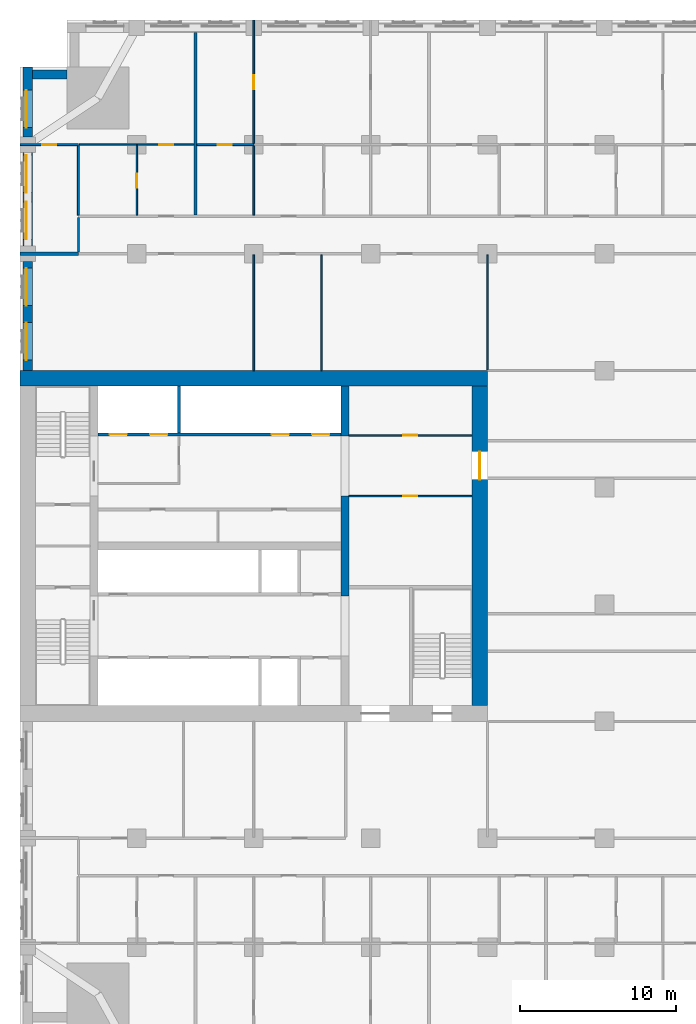
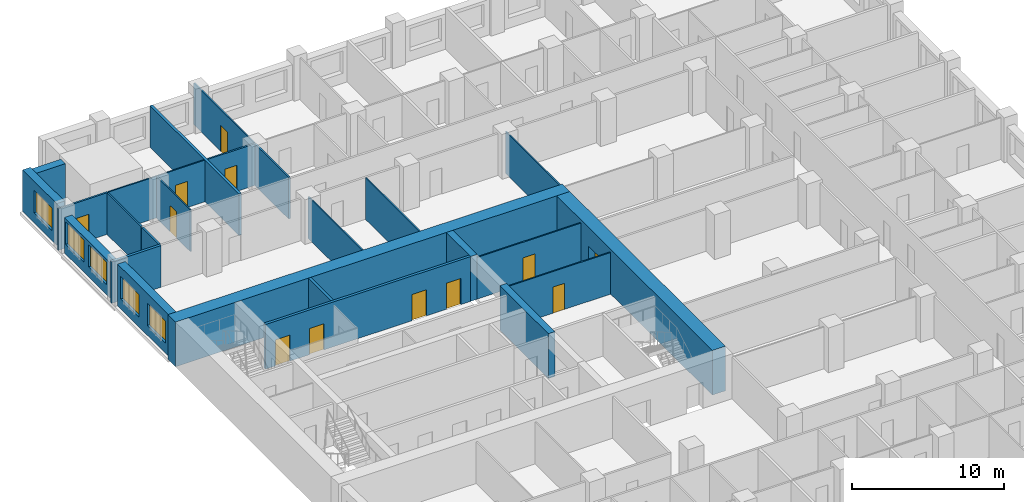
# One storey, part 8 of 14: 25 walls, 12 doors, 5 windows, 17 openings.
"""IFC4 building model written with IfcOpenShell, lengths in metres."""

from ifc_helpers import new_model, si_unit, direction, frame, frame_2d, origin, place, context, subcontext, project, spatial, rectangle, extrude, material, layer, layer_set, type_object, element, fill, save


model = new_model("IFC4")

# Units and contexts
model_context = context("Model", 3, precision=1e-05, world=origin(), true_north=direction((0.0, 1.0)))
body_context = subcontext(model_context, "Body", "Model", "MODEL_VIEW")
ifc_project = project(units=[si_unit("LENGTHUNIT", "METRE"), si_unit("AREAUNIT", "SQUARE_METRE"), si_unit("VOLUMEUNIT", "CUBIC_METRE"), si_unit("PLANEANGLEUNIT", "RADIAN"), si_unit("MASSUNIT", "GRAM", prefix="KILO")], contexts=[model_context])

# Site, building, storey
site_placement = place(None, origin())
site = spatial("IfcSite", under=ifc_project, at=site_placement, CompositionType="ELEMENT")
building_placement = place(site_placement, origin())
building = spatial("IfcBuilding", under=site, at=building_placement, Name="Tamorin Gate", CompositionType="ELEMENT")
storey_placement = place(building_placement, frame((0.0, 0.0, 41.199951171875)))
storey = spatial("IfcBuildingStorey", under=building, at=storey_placement, Name="L08", CompositionType="ELEMENT", Elevation=41.199951171875)

# Wall
ifc_material_1 = material(Name="Precast concrete C40/50", Category="concrete")
ifc_layer_1 = layer(ifc_material_1, 0.60009765625)
ifc_layer_set_1 = layer_set([ifc_layer_1], Name="Precast concrete C40/50")
wall_type_1 = type_object("IfcWallType", Name="Board-marked concrete facade panel 600", PredefinedType="SOLIDWALL", material=ifc_layer_set_1)
wall_1_placement = place(storey_placement, frame((33.0, 101.5, 0.0), z_axis=(0.0, 0.0, 1.0), x_axis=(-1.0, 0.0, 0.0)))
element("IfcWall", 1, at=wall_1_placement, inside=storey, type_object=wall_type_1, Name="Facade panel", PredefinedType="SOLIDWALL", context=body_context, shape_type="SweptSolid", body=[
    extrude(rectangle(XDim=2.199951171875, YDim=0.60009765625, at=frame_2d((1.10009765625, 0.0))), origin(), (0.0, 0.0, 1.0), 3.35009765625),
])

# Wall, opening, window
wall_2_placement = place(storey_placement, frame((30.5, 102.0, 0.0), z_axis=(0.0, 0.0, 1.0), x_axis=(0.0, -1.0, 0.0)))
wall_2 = element("IfcWall", 2, at=wall_2_placement, inside=storey, type_object=wall_type_1, Name="Facade panel", PredefinedType="SOLIDWALL", context=body_context, shape_type="SweptSolid", body=[
    extrude(rectangle(XDim=4.5, YDim=0.60009765625, at=frame_2d((2.25, 0.0))), origin(), (0.0, 0.0, 1.0), 3.35009765625),
])
opening_1_placement = place(wall_2_placement, frame((1.5, 0.0, 0.800048828125)))
opening_1 = element("IfcOpeningElement", 3, at=opening_1_placement, cuts=wall_2, Name="Opening WN1", PredefinedType="OPENING", context=body_context, shape_type="SweptSolid", body=[
    extrude(rectangle(XDim=2.39990234375, YDim=1.800048828125, at=frame_2d((1.199951171875, 0.89990234375))), frame((0.0, 0.31005859375, 0.0), z_axis=(0.0, -1.0, 0.0), x_axis=(1.0, 0.0, 0.0)), (0.0, 0.0, 1.0), 0.6201171875),
])
ifc_material_2 = material(Name="Clear glass in aluminium frame", Category="aluminium")
window_type = type_object("IfcWindowType", Name="Deep-set window 2400x1800", PartitioningType="SINGLE_PANEL", PredefinedType="WINDOW", material=ifc_material_2)
window_1_placement = place(opening_1_placement, origin())
window_1 = element("IfcWindow", 4, at=window_1_placement, inside=storey, type_object=window_type, Name="Deep-set window", OverallHeight=1.800048828125, OverallWidth=2.39990234375, PartitioningType="SINGLE_PANEL", PredefinedType="WINDOW", context=body_context, shape_type="SweptSolid", body=[
    extrude(rectangle(XDim=2.39990234375, YDim=1.800048828125, at=frame_2d((1.199951171875, 0.89990234375))), frame((0.0, -0.070068359375, 0.0), z_axis=(0.0, -1.0, 0.0), x_axis=(1.0, 0.0, 0.0)), (0.0, 0.0, 1.0), 0.06005859375),
])
fill(opening_1, window_1)

# Wall, openings, windows
wall_3_placement = place(storey_placement, frame((30.5, 96.5, 0.0), z_axis=(0.0, 0.0, 1.0), x_axis=(0.0, -1.0, 0.0)))
wall_3 = element("IfcWall", 5, at=wall_3_placement, inside=storey, type_object=wall_type_1, Name="Facade panel", PredefinedType="SOLIDWALL", context=body_context, shape_type="SweptSolid", body=[
    extrude(rectangle(XDim=6.0, YDim=0.60009765625, at=frame_2d((3.0, 0.0))), origin(), (0.0, 0.0, 1.0), 2.85009765625),
])
opening_2_placement = place(wall_3_placement, frame((3.175048828125, 0.0, 0.800048828125)))
opening_2 = element("IfcOpeningElement", 6, at=opening_2_placement, cuts=wall_3, Name="Opening WN1", PredefinedType="OPENING", context=body_context, shape_type="SweptSolid", body=[
    extrude(rectangle(XDim=2.39990234375, YDim=1.800048828125, at=frame_2d((1.199951171875, 0.89990234375))), frame((0.0, 0.31005859375, 0.0), z_axis=(0.0, -1.0, 0.0), x_axis=(1.0, 0.0, 0.0)), (0.0, 0.0, 1.0), 0.6201171875),
])
opening_3_placement = place(wall_3_placement, frame((0.175048828125, 0.0, 0.800048828125)))
opening_3 = element("IfcOpeningElement", 7, at=opening_3_placement, cuts=wall_3, Name="Opening WN1", PredefinedType="OPENING", context=body_context, shape_type="SweptSolid", body=[
    extrude(rectangle(XDim=2.39990234375, YDim=1.800048828125, at=frame_2d((1.199951171875, 0.89990234375))), frame((0.0, 0.31005859375, 0.0), z_axis=(0.0, -1.0, 0.0), x_axis=(1.0, 0.0, 0.0)), (0.0, 0.0, 1.0), 0.6201171875),
])
window_2_placement = place(opening_2_placement, origin())
window_2 = element("IfcWindow", 8, at=window_2_placement, inside=storey, type_object=window_type, Name="Deep-set window", OverallHeight=1.800048828125, OverallWidth=2.39990234375, PartitioningType="SINGLE_PANEL", PredefinedType="WINDOW", context=body_context, shape_type="SweptSolid", body=[
    extrude(rectangle(XDim=2.39990234375, YDim=1.800048828125, at=frame_2d((1.199951171875, 0.89990234375))), frame((0.0, -0.070068359375, 0.0), z_axis=(0.0, -1.0, 0.0), x_axis=(1.0, 0.0, 0.0)), (0.0, 0.0, 1.0), 0.06005859375),
])
fill(opening_2, window_2)
window_3_placement = place(opening_3_placement, origin())
window_3 = element("IfcWindow", 9, at=window_3_placement, inside=storey, type_object=window_type, Name="Deep-set window", OverallHeight=1.800048828125, OverallWidth=2.39990234375, PartitioningType="SINGLE_PANEL", PredefinedType="WINDOW", context=body_context, shape_type="SweptSolid", body=[
    extrude(rectangle(XDim=2.39990234375, YDim=1.800048828125, at=frame_2d((1.199951171875, 0.89990234375))), frame((0.0, -0.070068359375, 0.0), z_axis=(0.0, -1.0, 0.0), x_axis=(1.0, 0.0, 0.0)), (0.0, 0.0, 1.0), 0.06005859375),
])
fill(opening_3, window_3)

wall_4_placement = place(storey_placement, frame((30.5, 89.5, 0.0), z_axis=(0.0, 0.0, 1.0), x_axis=(0.0, -1.0, 0.0)))
wall_4 = element("IfcWall", 10, at=wall_4_placement, inside=storey, type_object=wall_type_1, Name="Facade panel", PredefinedType="SOLIDWALL", context=body_context, shape_type="SweptSolid", body=[
    extrude(rectangle(XDim=7.0, YDim=0.60009765625, at=frame_2d((3.5, 0.0))), origin(), (0.0, 0.0, 1.0), 3.35009765625),
])
opening_4_placement = place(wall_4_placement, frame((3.925048828125, 0.0, 0.800048828125)))
opening_4 = element("IfcOpeningElement", 11, at=opening_4_placement, cuts=wall_4, Name="Opening WN1", PredefinedType="OPENING", context=body_context, shape_type="SweptSolid", body=[
    extrude(rectangle(XDim=2.39990234375, YDim=1.800048828125, at=frame_2d((1.199951171875, 0.89990234375))), frame((0.0, 0.31005859375, 0.0), z_axis=(0.0, -1.0, 0.0), x_axis=(1.0, 0.0, 0.0)), (0.0, 0.0, 1.0), 0.6201171875),
])
opening_5_placement = place(wall_4_placement, frame((0.425048828125, 0.0, 0.800048828125)))
opening_5 = element("IfcOpeningElement", 12, at=opening_5_placement, cuts=wall_4, Name="Opening WN1", PredefinedType="OPENING", context=body_context, shape_type="SweptSolid", body=[
    extrude(rectangle(XDim=2.39990234375, YDim=1.800048828125, at=frame_2d((1.199951171875, 0.89990234375))), frame((0.0, 0.31005859375, 0.0), z_axis=(0.0, -1.0, 0.0), x_axis=(1.0, 0.0, 0.0)), (0.0, 0.0, 1.0), 0.6201171875),
])
window_4_placement = place(opening_4_placement, origin())
window_4 = element("IfcWindow", 13, at=window_4_placement, inside=storey, type_object=window_type, Name="Deep-set window", OverallHeight=1.800048828125, OverallWidth=2.39990234375, PartitioningType="SINGLE_PANEL", PredefinedType="WINDOW", context=body_context, shape_type="SweptSolid", body=[
    extrude(rectangle(XDim=2.39990234375, YDim=1.800048828125, at=frame_2d((1.199951171875, 0.89990234375))), frame((0.0, -0.070068359375, 0.0), z_axis=(0.0, -1.0, 0.0), x_axis=(1.0, 0.0, 0.0)), (0.0, 0.0, 1.0), 0.06005859375),
])
fill(opening_4, window_4)
window_5_placement = place(opening_5_placement, origin())
window_5 = element("IfcWindow", 14, at=window_5_placement, inside=storey, type_object=window_type, Name="Deep-set window", OverallHeight=1.800048828125, OverallWidth=2.39990234375, PartitioningType="SINGLE_PANEL", PredefinedType="WINDOW", context=body_context, shape_type="SweptSolid", body=[
    extrude(rectangle(XDim=2.39990234375, YDim=1.800048828125, at=frame_2d((1.199951171875, 0.89990234375))), frame((0.0, -0.070068359375, 0.0), z_axis=(0.0, -1.0, 0.0), x_axis=(1.0, 0.0, 0.0)), (0.0, 0.0, 1.0), 0.06005859375),
])
fill(opening_5, window_5)

# Walls
ifc_material_3 = material(Name="Gypsum board partition")
ifc_layer_2 = layer(ifc_material_3, 0.14990234375)
ifc_layer_set_2 = layer_set([ifc_layer_2], Name="Corridor wall 150")
wall_type_2 = type_object("IfcWallType", Name="Corridor wall 150", PredefinedType="PARTITIONING", material=ifc_layer_set_2)
wall_5_placement = place(storey_placement, frame((33.75, 90.10009765625, 0.0), z_axis=(0.0, 0.0, 1.0), x_axis=(0.0, 1.0, 0.0)))
element("IfcWall", 15, at=wall_5_placement, inside=storey, type_object=wall_type_2, Name="Corridor wall 150", PredefinedType="PARTITIONING", context=body_context, shape_type="SweptSolid", body=[
    extrude(rectangle(XDim=2.224853515625, YDim=0.14990234375, at=frame_2d((1.1123046875, 0.0))), origin(), (0.0, 0.0, 1.0), 3.35009765625),
])
ifc_layer_3 = layer(ifc_material_3, 0.199951171875)
ifc_layer_set_3 = layer_set([ifc_layer_3], Name="Demising wall 200")
wall_type_3 = type_object("IfcWallType", Name="Demising wall 200", PredefinedType="PARTITIONING", material=ifc_layer_set_3)
wall_6_placement = place(storey_placement, frame((30.0, 90.0, 0.0), z_axis=(0.0, 0.0, 1.0), x_axis=(1.0, 0.0, 0.0)))
element("IfcWall", 16, at=wall_6_placement, inside=storey, type_object=wall_type_3, Name="Demising wall 200", PredefinedType="PARTITIONING", context=body_context, shape_type="SweptSolid", body=[
    extrude(rectangle(XDim=3.75, YDim=0.199951171875, at=frame_2d((1.875, 0.0))), origin(), (0.0, 0.0, 1.0), 3.35009765625),
])
wall_7_placement = place(storey_placement, frame((41.25, 92.47509765625, 0.0), z_axis=(0.0, 0.0, 1.0), x_axis=(0.0, 1.0, 0.0)))
element("IfcWall", 17, at=wall_7_placement, inside=storey, type_object=wall_type_3, Name="Demising wall 200", PredefinedType="PARTITIONING", context=body_context, shape_type="SweptSolid", body=[
    extrude(rectangle(XDim=11.71484375, YDim=0.199951171875, at=frame_2d((5.857421875, 0.0))), origin(), (0.0, 0.0, 1.0), 3.35009765625),
])

# Wall, openings, doors
ifc_material_4 = material(Name="Concrete C32/40", Category="concrete")
ifc_layer_4 = layer(ifc_material_4, 0.199951171875)
ifc_layer_set_4 = layer_set([ifc_layer_4], Name="Lift lobby face wall 200 EI 120")
wall_type_4 = type_object("IfcWallType", Name="Lift lobby face wall 200 EI 120", PredefinedType="SOLIDWALL", material=ifc_layer_set_4)
wall_8_placement = place(storey_placement, frame((35.0, 78.39990234375, 0.0), z_axis=(0.0, 0.0, 1.0), x_axis=(1.0, 0.0, 0.0)))
wall_8 = element("IfcWall", 18, at=wall_8_placement, inside=storey, type_object=wall_type_4, Name="Lift lobby face wall", PredefinedType="SOLIDWALL", context=body_context, shape_type="SweptSolid", body=[
    extrude(rectangle(XDim=15.60009765625, YDim=0.199951171875, at=frame_2d((7.800048828125, 0.0))), origin(), (0.0, 0.0, 1.0), 3.60009765625),
])
opening_6_placement = place(wall_8_placement, frame((0.75, 0.0, 0.0)))
opening_6 = element("IfcOpeningElement", 19, at=opening_6_placement, cuts=wall_8, Name="Opening LD17", PredefinedType="OPENING", context=body_context, shape_type="SweptSolid", body=[
    extrude(rectangle(XDim=1.10009765625, YDim=2.10009765625, at=frame_2d((0.550048828125, 1.050048828125))), frame((0.0, 0.10986328125, 0.0), z_axis=(0.0, -1.0, 0.0), x_axis=(1.0, 0.0, 0.0)), (0.0, 0.0, 1.0), 0.219970703125),
])
opening_7_placement = place(wall_8_placement, frame((3.35009765625, 0.0, 0.0)))
opening_7 = element("IfcOpeningElement", 20, at=opening_7_placement, cuts=wall_8, Name="Opening LD18", PredefinedType="OPENING", context=body_context, shape_type="SweptSolid", body=[
    extrude(rectangle(XDim=1.10009765625, YDim=2.10009765625, at=frame_2d((0.550048828125, 1.050048828125))), frame((0.0, 0.10986328125, 0.0), z_axis=(0.0, -1.0, 0.0), x_axis=(1.0, 0.0, 0.0)), (0.0, 0.0, 1.0), 0.219970703125),
])
opening_8_placement = place(wall_8_placement, frame((11.14990234375, 0.0, 0.0)))
opening_8 = element("IfcOpeningElement", 21, at=opening_8_placement, cuts=wall_8, Name="Opening LD21", PredefinedType="OPENING", context=body_context, shape_type="SweptSolid", body=[
    extrude(rectangle(XDim=1.10009765625, YDim=2.10009765625, at=frame_2d((0.550048828125, 1.050048828125))), frame((0.0, 0.10986328125, 0.0), z_axis=(0.0, -1.0, 0.0), x_axis=(1.0, 0.0, 0.0)), (0.0, 0.0, 1.0), 0.219970703125),
])
opening_9_placement = place(wall_8_placement, frame((13.75, 0.0, 0.0)))
opening_9 = element("IfcOpeningElement", 22, at=opening_9_placement, cuts=wall_8, Name="Opening LD22", PredefinedType="OPENING", context=body_context, shape_type="SweptSolid", body=[
    extrude(rectangle(XDim=1.10009765625, YDim=2.10009765625, at=frame_2d((0.550048828125, 1.050048828125))), frame((0.0, 0.10986328125, 0.0), z_axis=(0.0, -1.0, 0.0), x_axis=(1.0, 0.0, 0.0)), (0.0, 0.0, 1.0), 0.219970703125),
])
ifc_material_5 = material(Name="Stainless steel sliding door", Category="steel")
door_type_1 = type_object("IfcDoorType", Name="Lift landing door 1100 x 2100 E 90", OperationType="DOUBLE_DOOR_SLIDING", PredefinedType="DOOR", material=ifc_material_5)
door_1_placement = place(opening_6_placement, origin())
door_1 = element("IfcDoor", 23, at=door_1_placement, inside=storey, type_object=door_type_1, Name="FF1 landing door", OperationType="DOUBLE_DOOR_SLIDING", OverallHeight=2.10009765625, OverallWidth=1.10009765625, PredefinedType="DOOR", context=body_context, shape_type="SweptSolid", body=[
    extrude(rectangle(XDim=1.10009765625, YDim=2.10009765625, at=frame_2d((0.550048828125, 1.050048828125))), frame((0.0, 0.02490234375, 0.0), z_axis=(0.0, -1.0, 0.0), x_axis=(1.0, 0.0, 0.0)), (0.0, 0.0, 1.0), 0.050048828125),
])
fill(opening_6, door_1)
door_2_placement = place(opening_7_placement, origin())
door_2 = element("IfcDoor", 24, at=door_2_placement, inside=storey, type_object=door_type_1, Name="FF2 landing door", OperationType="DOUBLE_DOOR_SLIDING", OverallHeight=2.10009765625, OverallWidth=1.10009765625, PredefinedType="DOOR", context=body_context, shape_type="SweptSolid", body=[
    extrude(rectangle(XDim=1.10009765625, YDim=2.10009765625, at=frame_2d((0.550048828125, 1.050048828125))), frame((0.0, 0.02490234375, 0.0), z_axis=(0.0, -1.0, 0.0), x_axis=(1.0, 0.0, 0.0)), (0.0, 0.0, 1.0), 0.050048828125),
])
fill(opening_7, door_2)
door_3_placement = place(opening_8_placement, origin())
door_3 = element("IfcDoor", 25, at=door_3_placement, inside=storey, type_object=door_type_1, Name="SV1 landing door", OperationType="DOUBLE_DOOR_SLIDING", OverallHeight=2.10009765625, OverallWidth=1.10009765625, PredefinedType="DOOR", context=body_context, shape_type="SweptSolid", body=[
    extrude(rectangle(XDim=1.10009765625, YDim=2.10009765625, at=frame_2d((0.550048828125, 1.050048828125))), frame((0.0, 0.02490234375, 0.0), z_axis=(0.0, -1.0, 0.0), x_axis=(1.0, 0.0, 0.0)), (0.0, 0.0, 1.0), 0.050048828125),
])
fill(opening_8, door_3)
door_4_placement = place(opening_9_placement, origin())
door_4 = element("IfcDoor", 26, at=door_4_placement, inside=storey, type_object=door_type_1, Name="SV2 landing door", OperationType="DOUBLE_DOOR_SLIDING", OverallHeight=2.10009765625, OverallWidth=1.10009765625, PredefinedType="DOOR", context=body_context, shape_type="SweptSolid", body=[
    extrude(rectangle(XDim=1.10009765625, YDim=2.10009765625, at=frame_2d((0.550048828125, 1.050048828125))), frame((0.0, 0.02490234375, 0.0), z_axis=(0.0, -1.0, 0.0), x_axis=(1.0, 0.0, 0.0)), (0.0, 0.0, 1.0), 0.050048828125),
])
fill(opening_9, door_4)

# Walls
ifc_layer_5 = layer(ifc_material_4, 0.199951171875)
ifc_layer_set_5 = layer_set([ifc_layer_5], Name="Lift shaft wall 200 EI 120")
wall_type_5 = type_object("IfcWallType", Name="Lift shaft wall 200 EI 120", PredefinedType="SOLIDWALL", material=ifc_layer_set_5)
wall_9_placement = place(storey_placement, frame((40.199951171875, 78.5, 0.0), z_axis=(0.0, 0.0, 1.0), x_axis=(0.0, 1.0, 0.0)))
element("IfcWall", 27, at=wall_9_placement, inside=storey, type_object=wall_type_5, Name="Lift shaft wall", PredefinedType="SOLIDWALL", context=body_context, shape_type="SweptSolid", body=[
    extrude(rectangle(XDim=3.0, YDim=0.199951171875, at=frame_2d((1.5, 0.0))), origin(), (0.0, 0.0, 1.0), 3.60009765625),
])
ifc_material_6 = material(Name="Concrete C80/95", Category="concrete")
ifc_layer_6 = layer(ifc_material_6, 0.5)
ifc_layer_set_6 = layer_set([ifc_layer_6], Name="RC core internal wall 500 C80/95")
wall_type_6 = type_object("IfcWallType", Name="RC core internal wall 500 C80/95", PredefinedType="SHEAR", material=ifc_layer_set_6)
wall_10_placement = place(storey_placement, frame((50.85009765625, 68.050048828125, 0.0), z_axis=(0.0, 0.0, 1.0), x_axis=(0.0, 1.0, 0.0)))
element("IfcWall", 28, at=wall_10_placement, inside=storey, type_object=wall_type_6, Name="Core cross wall L08", PredefinedType="SHEAR", context=body_context, shape_type="SweptSolid", body=[
    extrude(rectangle(XDim=6.39990234375, YDim=0.5, at=frame_2d((3.199951171875, 0.0))), origin(), (0.0, 0.0, 1.0), 3.60009765625),
])
wall_11_placement = place(storey_placement, frame((50.85009765625, 78.300048828125, 0.0), z_axis=(0.0, 0.0, 1.0), x_axis=(0.0, 1.0, 0.0)))
element("IfcWall", 29, at=wall_11_placement, inside=storey, type_object=wall_type_6, Name="Core cross wall L08", PredefinedType="SHEAR", context=body_context, shape_type="SweptSolid", body=[
    extrude(rectangle(XDim=3.199951171875, YDim=0.5, at=frame_2d((1.60009765625, 0.0))), origin(), (0.0, 0.0, 1.0), 3.60009765625),
])
ifc_layer_7 = layer(ifc_material_6, 1.0)
ifc_layer_set_7 = layer_set([ifc_layer_7], Name="RC core wall 1000 C80/95")
wall_type_7 = type_object("IfcWallType", Name="RC core wall 1000 C80/95", PredefinedType="SHEAR", material=ifc_layer_set_7)
wall_12_placement = place(storey_placement, frame((30.0, 82.0, 0.0), z_axis=(0.0, 0.0, 1.0), x_axis=(1.0, 0.0, 0.0)))
element("IfcWall", 30, at=wall_12_placement, inside=storey, type_object=wall_type_7, Name="Core wall L08", PredefinedType="SHEAR", context=body_context, shape_type="SweptSolid", body=[
    extrude(rectangle(XDim=30.0, YDim=1.0, at=frame_2d((15.0, 0.0))), origin(), (0.0, 0.0, 1.0), 3.60009765625),
])

# Wall, opening, door
wall_13_placement = place(storey_placement, frame((59.5, 61.0, 0.0), z_axis=(0.0, 0.0, 1.0), x_axis=(0.0, 1.0, 0.0)))
wall_13 = element("IfcWall", 31, at=wall_13_placement, inside=storey, type_object=wall_type_7, Name="Core wall L08", PredefinedType="SHEAR", context=body_context, shape_type="SweptSolid", body=[
    extrude(rectangle(XDim=20.5, YDim=1.0, at=frame_2d((10.25, 0.0))), origin(), (0.0, 0.0, 1.0), 3.60009765625),
])
opening_10_placement = place(wall_13_placement, frame((14.5, 0.0, 0.0)))
opening_10 = element("IfcOpeningElement", 32, at=opening_10_placement, cuts=wall_13, Name="Opening DE1", PredefinedType="OPENING", context=body_context, shape_type="SweptSolid", body=[
    extrude(rectangle(XDim=1.800048828125, YDim=2.10009765625, at=frame_2d((0.89990234375, 1.050048828125))), frame((0.0, 0.510009765625, 0.0), z_axis=(0.0, -1.0, 0.0), x_axis=(1.0, 0.0, 0.0)), (0.0, 0.0, 1.0), 1.02001953125),
])
ifc_material_7 = material(Name="Steel fire door", Category="steel")
door_type_2 = type_object("IfcDoorType", Name="Lobby exit double door 1800 x 2100 EI 60", OperationType="DOUBLE_DOOR_SINGLE_SWING", PredefinedType="DOOR", material=ifc_material_7)
door_5_placement = place(opening_10_placement, origin())
door_5 = element("IfcDoor", 33, at=door_5_placement, inside=storey, type_object=door_type_2, Name="Lift lobby B exit door", OperationType="DOUBLE_DOOR_SINGLE_SWING", OverallHeight=2.10009765625, OverallWidth=1.800048828125, PredefinedType="DOOR", context=body_context, shape_type="SweptSolid", body=[
    extrude(rectangle(XDim=1.800048828125, YDim=2.10009765625, at=frame_2d((0.89990234375, 1.050048828125))), frame((0.0, 0.02490234375, 0.0), z_axis=(0.0, -1.0, 0.0), x_axis=(1.0, 0.0, 0.0)), (0.0, 0.0, 1.0), 0.050048828125),
])
fill(opening_10, door_5)

ifc_layer_8 = layer(ifc_material_3, 0.10009765625)
ifc_layer_set_8 = layer_set([ifc_layer_8], Name="Room partition 100")
wall_type_8 = type_object("IfcWallType", Name="Room partition 100", PredefinedType="PARTITIONING", material=ifc_layer_set_8)
wall_14_placement = place(storey_placement, frame((33.8125, 97.0, 0.0), z_axis=(0.0, 0.0, 1.0), x_axis=(1.0, 0.0, 0.0)))
wall_14 = element("IfcWall", 34, at=wall_14_placement, inside=storey, type_object=wall_type_8, Name="Room partition 100", PredefinedType="PARTITIONING", context=body_context, shape_type="SweptSolid", body=[
    extrude(rectangle(XDim=7.33740234375, YDim=0.10009765625, at=frame_2d((3.668701171875, 0.0))), origin(), (0.0, 0.0, 1.0), 3.35009765625),
])
opening_11_placement = place(wall_14_placement, frame((5.112548828125, 0.0, 0.0)))
opening_11 = element("IfcOpeningElement", 35, at=opening_11_placement, cuts=wall_14, Name="Opening DH3023", PredefinedType="OPENING", context=body_context, shape_type="SweptSolid", body=[
    extrude(rectangle(XDim=0.89990234375, YDim=2.10009765625, at=frame_2d((0.449951171875, 1.050048828125))), frame((0.0, 0.06005859375, 0.0), z_axis=(0.0, -1.0, 0.0), x_axis=(1.0, 0.0, 0.0)), (0.0, 0.0, 1.0), 0.1201171875),
])
ifc_material_8 = material(Name="Timber door leaf", Category="wood")
door_type_3 = type_object("IfcDoorType", Name="Door 900 x 2100", OperationType="NOTDEFINED", PredefinedType="DOOR", material=ifc_material_8)
door_6_placement = place(opening_11_placement, origin())
door_6 = element("IfcDoor", 36, at=door_6_placement, inside=storey, type_object=door_type_3, Name="Door DH3023", OperationType="SINGLE_SWING_RIGHT", OverallHeight=2.10009765625, OverallWidth=0.89990234375, PredefinedType="DOOR", context=body_context, shape_type="SweptSolid", body=[
    extrude(rectangle(XDim=0.89990234375, YDim=2.10009765625, at=frame_2d((0.449951171875, 1.050048828125))), frame((0.0, 0.02490234375, 0.0), z_axis=(0.0, -1.0, 0.0), x_axis=(1.0, 0.0, 0.0)), (0.0, 0.0, 1.0), 0.050048828125),
])
fill(opening_11, door_6)

wall_15_placement = place(storey_placement, frame((37.5, 92.47509765625, 0.0), z_axis=(0.0, 0.0, 1.0), x_axis=(0.0, 1.0, 0.0)))
wall_15 = element("IfcWall", 37, at=wall_15_placement, inside=storey, type_object=wall_type_8, Name="Room partition 100", PredefinedType="PARTITIONING", context=body_context, shape_type="SweptSolid", body=[
    extrude(rectangle(XDim=4.474853515625, YDim=0.10009765625, at=frame_2d((2.2373046875, 0.0))), origin(), (0.0, 0.0, 1.0), 3.35009765625),
])
opening_12_placement = place(wall_15_placement, frame((1.77490234375, 0.0, 0.0)))
opening_12 = element("IfcOpeningElement", 38, at=opening_12_placement, cuts=wall_15, Name="Opening DH3021", PredefinedType="OPENING", context=body_context, shape_type="SweptSolid", body=[
    extrude(rectangle(XDim=0.89990234375, YDim=2.10009765625, at=frame_2d((0.449951171875, 1.050048828125))), frame((0.0, 0.06005859375, 0.0), z_axis=(0.0, -1.0, 0.0), x_axis=(1.0, 0.0, 0.0)), (0.0, 0.0, 1.0), 0.1201171875),
])
door_7_placement = place(opening_12_placement, origin())
door_7 = element("IfcDoor", 39, at=door_7_placement, inside=storey, type_object=door_type_3, Name="Door DH3021", OperationType="SINGLE_SWING_RIGHT", OverallHeight=2.10009765625, OverallWidth=0.89990234375, PredefinedType="DOOR", context=body_context, shape_type="SweptSolid", body=[
    extrude(rectangle(XDim=0.89990234375, YDim=2.10009765625, at=frame_2d((0.449951171875, 1.050048828125))), frame((0.0, 0.02490234375, 0.0), z_axis=(0.0, -1.0, 0.0), x_axis=(1.0, 0.0, 0.0)), (0.0, 0.0, 1.0), 0.050048828125),
])
fill(opening_12, door_7)

# Wall
wall_16_placement = place(storey_placement, frame((45.0, 82.5, 0.0), z_axis=(0.0, 0.0, 1.0), x_axis=(0.0, 1.0, 0.0)))
element("IfcWall", 40, at=wall_16_placement, inside=storey, type_object=wall_type_8, Name="Room partition 100", PredefinedType="PARTITIONING", context=body_context, shape_type="SweptSolid", body=[
    extrude(rectangle(XDim=7.425048828125, YDim=0.10009765625, at=frame_2d((3.71240234375, 0.0))), origin(), (0.0, 0.0, 1.0), 3.35009765625),
])

# Wall, opening, door
wall_17_placement = place(storey_placement, frame((45.0, 97.0625, 0.0), z_axis=(0.0, 0.0, 1.0), x_axis=(0.0, 1.0, 0.0)))
wall_17 = element("IfcWall", 41, at=wall_17_placement, inside=storey, type_object=wall_type_8, Name="Room partition 100", PredefinedType="PARTITIONING", context=body_context, shape_type="SweptSolid", body=[
    extrude(rectangle(XDim=7.9375, YDim=0.10009765625, at=frame_2d((3.96875, 0.0))), origin(), (0.0, 0.0, 1.0), 3.35009765625),
])
opening_13_placement = place(wall_17_placement, frame((3.487548828125, 0.0, 0.0)))
opening_13 = element("IfcOpeningElement", 42, at=opening_13_placement, cuts=wall_17, Name="Opening DH3029", PredefinedType="OPENING", context=body_context, shape_type="SweptSolid", body=[
    extrude(rectangle(XDim=0.89990234375, YDim=2.10009765625, at=frame_2d((0.449951171875, 1.050048828125))), frame((0.0, 0.06005859375, 0.0), z_axis=(0.0, -1.0, 0.0), x_axis=(1.0, 0.0, 0.0)), (0.0, 0.0, 1.0), 0.1201171875),
])
door_8_placement = place(opening_13_placement, origin())
door_8 = element("IfcDoor", 43, at=door_8_placement, inside=storey, type_object=door_type_3, Name="Door DH3029", OperationType="SINGLE_SWING_LEFT", OverallHeight=2.10009765625, OverallWidth=0.89990234375, PredefinedType="DOOR", context=body_context, shape_type="SweptSolid", body=[
    extrude(rectangle(XDim=0.89990234375, YDim=2.10009765625, at=frame_2d((0.449951171875, 1.050048828125))), frame((0.0, 0.02490234375, 0.0), z_axis=(0.0, -1.0, 0.0), x_axis=(1.0, 0.0, 0.0)), (0.0, 0.0, 1.0), 0.050048828125),
])
fill(opening_13, door_8)

# Walls
wall_18_placement = place(storey_placement, frame((49.35009765625, 82.5, 0.0), z_axis=(0.0, 0.0, 1.0), x_axis=(0.0, 1.0, 0.0)))
element("IfcWall", 44, at=wall_18_placement, inside=storey, type_object=wall_type_8, Name="Room partition 100", PredefinedType="PARTITIONING", context=body_context, shape_type="SweptSolid", body=[
    extrude(rectangle(XDim=7.425048828125, YDim=0.10009765625, at=frame_2d((3.71240234375, 0.0))), origin(), (0.0, 0.0, 1.0), 3.35009765625),
])
wall_19_placement = place(storey_placement, frame((60.0, 82.550048828125, 0.0), z_axis=(0.0, 0.0, 1.0), x_axis=(0.0, 1.0, 0.0)))
element("IfcWall", 45, at=wall_19_placement, inside=storey, type_object=wall_type_8, Name="Room partition 100", PredefinedType="PARTITIONING", context=body_context, shape_type="SweptSolid", body=[
    extrude(rectangle(XDim=7.375, YDim=0.10009765625, at=frame_2d((3.6875, 0.0))), origin(), (0.0, 0.0, 1.0), 3.35009765625),
])

# Wall, opening, door
ifc_layer_9 = layer(ifc_material_3, 0.10009765625)
ifc_layer_set_9 = layer_set([ifc_layer_9], Name="Service room partition 100 EI 60")
wall_type_9 = type_object("IfcWallType", Name="Service room partition 100 EI 60", PredefinedType="PARTITIONING", material=ifc_layer_set_9)
wall_20_placement = place(storey_placement, frame((51.10009765625, 74.449951171875, 0.0), z_axis=(0.0, 0.0, 1.0), x_axis=(1.0, 0.0, 0.0)))
wall_20 = element("IfcWall", 46, at=wall_20_placement, inside=storey, type_object=wall_type_9, Name="Service room wall", PredefinedType="PARTITIONING", context=body_context, shape_type="SweptSolid", body=[
    extrude(rectangle(XDim=7.89990234375, YDim=0.10009765625, at=frame_2d((3.949951171875, 0.0))), origin(), (0.0, 0.0, 1.0), 3.35009765625),
])
opening_14_placement = place(wall_20_placement, frame((3.5, 0.0, 0.0)))
opening_14 = element("IfcOpeningElement", 47, at=opening_14_placement, cuts=wall_20, Name="Opening DR1", PredefinedType="OPENING", context=body_context, shape_type="SweptSolid", body=[
    extrude(rectangle(XDim=0.89990234375, YDim=2.10009765625, at=frame_2d((0.449951171875, 1.050048828125))), frame((0.0, 0.06005859375, 0.0), z_axis=(0.0, -1.0, 0.0), x_axis=(1.0, 0.0, 0.0)), (0.0, 0.0, 1.0), 0.1201171875),
])
door_type_4 = type_object("IfcDoorType", Name="Riser access door 900 x 2100 EI 120", OperationType="SINGLE_SWING_LEFT", PredefinedType="DOOR", material=ifc_material_7)
door_9_placement = place(opening_14_placement, origin())
door_9 = element("IfcDoor", 48, at=door_9_placement, inside=storey, type_object=door_type_4, Name="Duct riser door", OperationType="SINGLE_SWING_RIGHT", OverallHeight=2.10009765625, OverallWidth=0.89990234375, PredefinedType="DOOR", context=body_context, shape_type="SweptSolid", body=[
    extrude(rectangle(XDim=0.89990234375, YDim=2.10009765625, at=frame_2d((0.449951171875, 1.050048828125))), frame((0.0, 0.02490234375, 0.0), z_axis=(0.0, -1.0, 0.0), x_axis=(1.0, 0.0, 0.0)), (0.0, 0.0, 1.0), 0.050048828125),
])
fill(opening_14, door_9)

wall_21_placement = place(storey_placement, frame((51.10009765625, 78.35009765625, 0.0), z_axis=(0.0, 0.0, 1.0), x_axis=(1.0, 0.0, 0.0)))
wall_21 = element("IfcWall", 49, at=wall_21_placement, inside=storey, type_object=wall_type_9, Name="Service room wall", PredefinedType="PARTITIONING", context=body_context, shape_type="SweptSolid", body=[
    extrude(rectangle(XDim=7.89990234375, YDim=0.10009765625, at=frame_2d((3.949951171875, 0.0))), origin(), (0.0, 0.0, 1.0), 3.35009765625),
])
opening_15_placement = place(wall_21_placement, frame((3.5, 0.0, 0.0)))
opening_15 = element("IfcOpeningElement", 50, at=opening_15_placement, cuts=wall_21, Name="Opening DK1", PredefinedType="OPENING", context=body_context, shape_type="SweptSolid", body=[
    extrude(rectangle(XDim=0.89990234375, YDim=2.10009765625, at=frame_2d((0.449951171875, 1.050048828125))), frame((0.0, 0.06005859375, 0.0), z_axis=(0.0, -1.0, 0.0), x_axis=(1.0, 0.0, 0.0)), (0.0, 0.0, 1.0), 0.1201171875),
])
ifc_material_9 = material(Name="Timber fire door", Category="wood")
door_type_5 = type_object("IfcDoorType", Name="Service room door 900 x 2100 EI 60", OperationType="SINGLE_SWING_LEFT", PredefinedType="DOOR", material=ifc_material_9)
door_10_placement = place(opening_15_placement, origin())
door_10 = element("IfcDoor", 51, at=door_10_placement, inside=storey, type_object=door_type_5, Name="Door Housekeeping office", OperationType="SINGLE_SWING_RIGHT", OverallHeight=2.10009765625, OverallWidth=0.89990234375, PredefinedType="DOOR", context=body_context, shape_type="SweptSolid", body=[
    extrude(rectangle(XDim=0.89990234375, YDim=2.10009765625, at=frame_2d((0.449951171875, 1.050048828125))), frame((0.0, 0.02490234375, 0.0), z_axis=(0.0, -1.0, 0.0), x_axis=(1.0, 0.0, 0.0)), (0.0, 0.0, 1.0), 0.050048828125),
])
fill(opening_15, door_10)

ifc_layer_10 = layer(ifc_material_3, 0.125)
ifc_layer_set_10 = layer_set([ifc_layer_10], Name="Wet wall 125")
wall_type_10 = type_object("IfcWallType", Name="Wet wall 125", PredefinedType="PARTITIONING", material=ifc_layer_set_10)
wall_22_placement = place(storey_placement, frame((30.0, 97.0, 0.0), z_axis=(0.0, 0.0, 1.0), x_axis=(1.0, 0.0, 0.0)))
wall_22 = element("IfcWall", 52, at=wall_22_placement, inside=storey, type_object=wall_type_10, Name="Wet wall 125", PredefinedType="PARTITIONING", context=body_context, shape_type="SweptSolid", body=[
    extrude(rectangle(XDim=3.75, YDim=0.125, at=frame_2d((1.875, 0.0))), origin(), (0.0, 0.0, 1.0), 3.35009765625),
])
opening_16_placement = place(wall_22_placement, frame((1.425048828125, 0.0, 0.0)))
opening_16 = element("IfcOpeningElement", 53, at=opening_16_placement, cuts=wall_22, Name="Opening DH3020", PredefinedType="OPENING", context=body_context, shape_type="SweptSolid", body=[
    extrude(rectangle(XDim=0.89990234375, YDim=2.10009765625, at=frame_2d((0.449951171875, 1.050048828125))), frame((0.0, 0.072509765625, 0.0), z_axis=(0.0, -1.0, 0.0), x_axis=(1.0, 0.0, 0.0)), (0.0, 0.0, 1.0), 0.14501953125),
])
door_11_placement = place(opening_16_placement, origin())
door_11 = element("IfcDoor", 54, at=door_11_placement, inside=storey, type_object=door_type_3, Name="Door DH3020", OperationType="SINGLE_SWING_RIGHT", OverallHeight=2.10009765625, OverallWidth=0.89990234375, PredefinedType="DOOR", context=body_context, shape_type="SweptSolid", body=[
    extrude(rectangle(XDim=0.89990234375, YDim=2.10009765625, at=frame_2d((0.449951171875, 1.050048828125))), frame((0.0, 0.02490234375, 0.0), z_axis=(0.0, -1.0, 0.0), x_axis=(1.0, 0.0, 0.0)), (0.0, 0.0, 1.0), 0.050048828125),
])
fill(opening_16, door_11)

wall_23_placement = place(storey_placement, frame((41.35009765625, 97.0, 0.0), z_axis=(0.0, 0.0, 1.0), x_axis=(1.0, 0.0, 0.0)))
wall_23 = element("IfcWall", 55, at=wall_23_placement, inside=storey, type_object=wall_type_10, Name="Wet wall 125", PredefinedType="PARTITIONING", context=body_context, shape_type="SweptSolid", body=[
    extrude(rectangle(XDim=3.64990234375, YDim=0.125, at=frame_2d((1.824951171875, 0.0))), origin(), (0.0, 0.0, 1.0), 3.35009765625),
])
opening_17_placement = place(wall_23_placement, frame((1.324951171875, 0.0, 0.0)))
opening_17 = element("IfcOpeningElement", 56, at=opening_17_placement, cuts=wall_23, Name="Opening DH3024", PredefinedType="OPENING", context=body_context, shape_type="SweptSolid", body=[
    extrude(rectangle(XDim=0.89990234375, YDim=2.10009765625, at=frame_2d((0.449951171875, 1.050048828125))), frame((0.0, 0.072509765625, 0.0), z_axis=(0.0, -1.0, 0.0), x_axis=(1.0, 0.0, 0.0)), (0.0, 0.0, 1.0), 0.14501953125),
])
door_12_placement = place(opening_17_placement, origin())
door_12 = element("IfcDoor", 57, at=door_12_placement, inside=storey, type_object=door_type_3, Name="Door DH3024", OperationType="SINGLE_SWING_RIGHT", OverallHeight=2.10009765625, OverallWidth=0.89990234375, PredefinedType="DOOR", context=body_context, shape_type="SweptSolid", body=[
    extrude(rectangle(XDim=0.89990234375, YDim=2.10009765625, at=frame_2d((0.449951171875, 1.050048828125))), frame((0.0, 0.02490234375, 0.0), z_axis=(0.0, -1.0, 0.0), x_axis=(1.0, 0.0, 0.0)), (0.0, 0.0, 1.0), 0.050048828125),
])
fill(opening_17, door_12)

# Walls
for number, where, z_axis, x_axis, name in (
    (58, (33.75, 92.47509765625, 0.0), (0.0, 0.0, 1.0), (0.0, 1.0, 0.0), "Wet wall 125"),
    (59, (45.0, 92.47509765625, 0.0), (0.0, 0.0, 1.0), (0.0, 1.0, 0.0), "Wet wall 125"),
):
    element("IfcWall", number, at=place(storey_placement, frame(where, z_axis=z_axis, x_axis=x_axis)), inside=storey, type_object=wall_type_10, Name=name, PredefinedType="PARTITIONING", context=body_context, shape_type="SweptSolid", body=[
        extrude(rectangle(XDim=4.46240234375, YDim=0.125, at=frame_2d((2.231201171875, 0.0))), origin(), (0.0, 0.0, 1.0), 3.35009765625),
    ])

save(model, "model.ifc")
